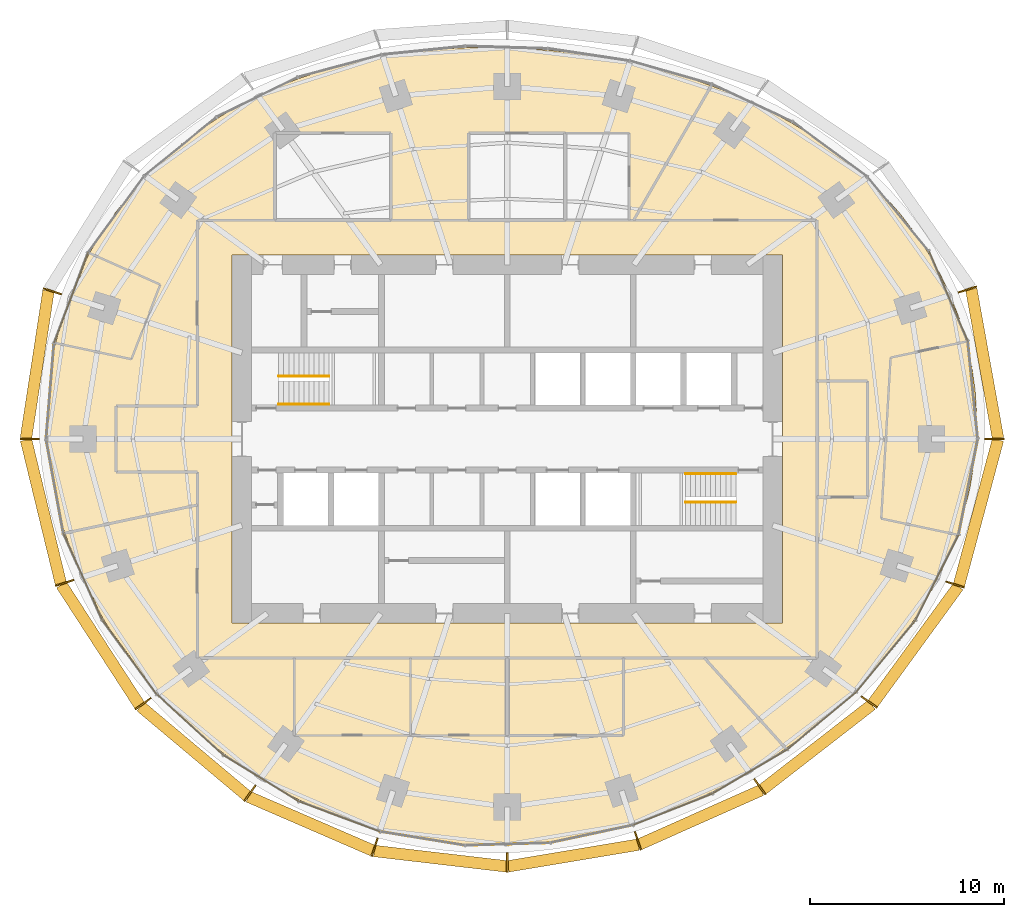
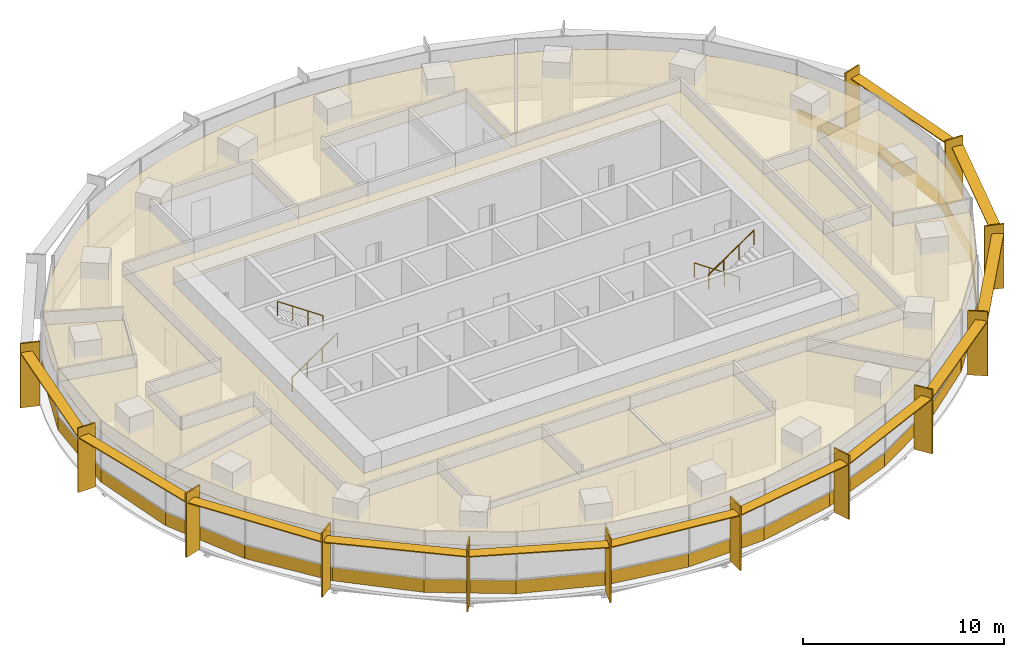
# One storey, part 13 of 14: 29 coverings, 25 shading devices, 4 railings.
"""IFC4 building model written with IfcOpenShell, lengths in metres."""

from ifc_helpers import new_model, si_unit, direction, frame, origin, origin_2d, place, context, subcontext, project, spatial, polyline, rectangle, circle, outline, extrude, material, layer, layer_set, type_object, element, save


model = new_model("IFC4")

# Units and contexts
model_context = context("Model", 3, precision=1e-05, world=origin(), true_north=direction((0.0, 1.0)))
body_context = subcontext(model_context, "Body", "Model", "MODEL_VIEW")
ifc_project = project(units=[si_unit("LENGTHUNIT", "METRE"), si_unit("AREAUNIT", "SQUARE_METRE"), si_unit("VOLUMEUNIT", "CUBIC_METRE"), si_unit("PLANEANGLEUNIT", "RADIAN"), si_unit("MASSUNIT", "GRAM", prefix="KILO")], contexts=[model_context])

# Site, building, storey
site_placement = place(None, origin())
site = spatial("IfcSite", under=ifc_project, at=site_placement, CompositionType="ELEMENT")
building_placement = place(site_placement, origin())
building = spatial("IfcBuilding", under=site, at=building_placement, Name="Marramba Exchange Tower", CompositionType="ELEMENT")
storey_placement = place(building_placement, frame((0.0, 0.0, 203.300048828125)))
storey = spatial("IfcBuildingStorey", under=building, at=storey_placement, Name="L49", CompositionType="ELEMENT", Elevation=203.300048828125)

# Shading devices
ifc_material_1 = material(Name="Aluminium blade, timber-look bronze finish", Category="wood")
ifc_layer_1 = layer(ifc_material_1, 0.080078125)
ifc_layer_set_1 = layer_set([ifc_layer_1], Name="Floor-edge blade 1000x80")
shading_device_type_1 = type_object("IfcShadingDeviceType", Name="Floor-edge blade 1000x80", PredefinedType="USERDEFINED", material=ifc_layer_set_1)
for number, where, z_axis, x_axis, name in (
    (1, (25.14404296875, 0.0, -0.159912109375), (0.0, 0.0, 1.0), (1.0, 0.0, 0.0), "Floor-edge blade FB1 L49 TC01"),
    (2, (23.757080078125, 7.718994140625, -0.159912109375), (0.0, 0.0, 1.0), (0.951056516295, 0.309016994375, 0.0), "Floor-edge blade FB1 L49 TC02"),
    (3, (-23.488525390625, 7.6318359375, -0.159912109375), (0.0, 0.0, 1.0), (-0.951056516295, 0.309016994375, 0.0), "Floor-edge blade FB1 L49 TC10"),
    (4, (-24.656005859375, 0.0, -0.159912109375), (0.0, 0.0, 1.0), (-1.0, 0.0, 0.0), "Floor-edge blade FB1 L49 TC11"),
    (5, (-22.848876953125, -7.424072265625, -0.159912109375), (0.0, 0.0, 1.0), (-0.951056516295, -0.309016994375, 0.0), "Floor-edge blade FB1 L49 TC12"),
    (6, (-18.7998046875, -13.658935546875, -0.159912109375), (0.0, 0.0, 1.0), (-0.809016994375, -0.587785252292, 0.0), "Floor-edge blade FB1 L49 TC13"),
    (7, (-13.2841796875, -18.2841796875, -0.159912109375), (0.0, 0.0, 1.0), (-0.587785252292, -0.809016994375, 0.0), "Floor-edge blade FB1 L49 TC14"),
    (8, (-6.845703125, -21.069091796875, -0.159912109375), (0.0, 0.0, 1.0), (-0.309016994375, -0.951056516295, 0.0), "Floor-edge blade FB1 L49 TC15"),
    (9, (0.0, -21.86376953125, -0.159912109375), (0.0, 0.0, 1.0), (0.0, -1.0, 0.0), "Floor-edge blade FB1 L49 TC16"),
    (10, (6.739501953125, -20.741943359375, -0.159912109375), (0.0, 0.0, 1.0), (0.309016994375, -0.951056516295, 0.0), "Floor-edge blade FB1 L49 TC17"),
    (11, (13.0380859375, -17.9453125, -0.159912109375), (0.0, 0.0, 1.0), (0.587785252292, -0.809016994375, 0.0), "Floor-edge blade FB1 L49 TC18"),
    (12, (18.6845703125, -13.5751953125, -0.159912109375), (0.0, 0.0, 1.0), (0.809016994375, -0.587785252292, 0.0), "Floor-edge blade FB1 L49 TC19"),
    (13, (23.1171875, -7.51123046875, -0.159912109375), (0.0, 0.0, 1.0), (0.951056516295, -0.309016994375, 0.0), "Floor-edge blade FB1 L49 TC20"),
):
    element("IfcShadingDevice", number, at=place(storey_placement, frame(where, z_axis=z_axis, x_axis=x_axis)), inside=storey, type_object=shading_device_type_1, Name=name, ObjectType="FIN", PredefinedType="USERDEFINED", context=body_context, shape_type="SweptSolid", body=[
        extrude(rectangle(XDim=1.0, YDim=0.080078125, at=origin_2d()), origin(), (0.0, 0.0, 1.0), 3.89990234375),
    ])
ifc_material_2 = material(Name="Aluminium sunshade, bronze anodised", Category="aluminium")
ifc_layer_2 = layer(ifc_material_2, 0.06005859375)
ifc_layer_set_2 = layer_set([ifc_layer_2], Name="SUNSHADE blade 600x60")
shading_device_type_2 = type_object("IfcShadingDeviceType", Name="SUNSHADE blade 600x60", PredefinedType="USERDEFINED", material=ifc_layer_set_2)
shading_device_1_placement = place(storey_placement, frame((24.6455078125, 3.890380859375, 3.159912109375), z_axis=(0.0, 0.0, 1.0), x_axis=(-0.176690623809, 0.984266439262, 0.0)))
element("IfcShadingDevice", 14, at=shading_device_1_placement, inside=storey, type_object=shading_device_type_2, Name="Sunshade SS1 L49 bay 01", ObjectType="SUNSHADE", PredefinedType="USERDEFINED", context=body_context, shape_type="SweptSolid", body=[
    extrude(rectangle(XDim=7.8251953125, YDim=0.60009765625, at=origin_2d()), origin(), (0.0, 0.0, 1.0), 0.06005859375),
])
shading_device_2_placement = place(storey_placement, frame((-24.267333984375, 3.846923828125, 3.159912109375), z_axis=(0.0, 0.0, 1.0), x_axis=(-0.151240669327, -0.988496970123, 0.0)))
element("IfcShadingDevice", 15, at=shading_device_2_placement, inside=storey, type_object=shading_device_type_2, Name="Sunshade SS1 L49 bay 10", ObjectType="SUNSHADE", PredefinedType="USERDEFINED", context=body_context, shape_type="SweptSolid", body=[
    extrude(rectangle(XDim=7.703369140625, YDim=0.60009765625, at=origin_2d()), origin(), (0.0, 0.0, 1.0), 0.06005859375),
])
shading_device_3_placement = place(storey_placement, frame((-23.947509765625, -3.742919921875, 3.159912109375), z_axis=(0.0, 0.0, 1.0), x_axis=(0.235861488454, -0.971786683519, 0.0)))
element("IfcShadingDevice", 16, at=shading_device_3_placement, inside=storey, type_object=shading_device_type_2, Name="Sunshade SS1 L49 bay 11", ObjectType="SUNSHADE", PredefinedType="USERDEFINED", context=body_context, shape_type="SweptSolid", body=[
    extrude(rectangle(XDim=7.623291015625, YDim=0.60009765625, at=origin_2d()), origin(), (0.0, 0.0, 1.0), 0.06005859375),
])
shading_device_4_placement = place(storey_placement, frame((-21.000244140625, -10.631103515625, 3.159912109375), z_axis=(0.0, 0.0, 1.0), x_axis=(0.543921771105, -0.839135928749, 0.0)))
element("IfcShadingDevice", 17, at=shading_device_4_placement, inside=storey, type_object=shading_device_type_2, Name="Sunshade SS1 L49 bay 12", ObjectType="SUNSHADE", PredefinedType="USERDEFINED", context=body_context, shape_type="SweptSolid", body=[
    extrude(rectangle(XDim=7.41650390625, YDim=0.60009765625, at=origin_2d()), origin(), (0.0, 0.0, 1.0), 0.06005859375),
])
shading_device_5_placement = place(storey_placement, frame((-16.181640625, -16.111083984375, 3.159912109375), z_axis=(0.0, 0.0, 1.0), x_axis=(0.765761970568, -0.643124097225, 0.0)))
element("IfcShadingDevice", 18, at=shading_device_5_placement, inside=storey, type_object=shading_device_type_2, Name="Sunshade SS1 L49 bay 13", ObjectType="SUNSHADE", PredefinedType="USERDEFINED", context=body_context, shape_type="SweptSolid", body=[
    extrude(rectangle(XDim=7.1806640625, YDim=0.60009765625, at=origin_2d()), origin(), (0.0, 0.0, 1.0), 0.06005859375),
])
shading_device_6_placement = place(storey_placement, frame((-10.154541015625, -19.8525390625, 3.159912109375), z_axis=(0.0, 0.0, 1.0), x_axis=(0.917589256742, -0.397529817639, 0.0)))
element("IfcShadingDevice", 19, at=shading_device_6_placement, inside=storey, type_object=shading_device_type_2, Name="Sunshade SS1 L49 bay 14", ObjectType="SUNSHADE", PredefinedType="USERDEFINED", context=body_context, shape_type="SweptSolid", body=[
    extrude(rectangle(XDim=6.997314453125, YDim=0.60009765625, at=origin_2d()), origin(), (0.0, 0.0, 1.0), 0.06005859375),
])
shading_device_7_placement = place(storey_placement, frame((-3.453857421875, -21.66162109375, 3.159912109375), z_axis=(0.0, 0.0, 1.0), x_axis=(0.993288257497, -0.1156651958, 0.0)))
element("IfcShadingDevice", 20, at=shading_device_7_placement, inside=storey, type_object=shading_device_type_2, Name="Sunshade SS1 L49 bay 15", ObjectType="SUNSHADE", PredefinedType="USERDEFINED", context=body_context, shape_type="SweptSolid", body=[
    extrude(rectangle(XDim=6.874267578125, YDim=0.60009765625, at=origin_2d()), origin(), (0.0, 0.0, 1.0), 0.06005859375),
])
shading_device_8_placement = place(storey_placement, frame((3.400634765625, -21.498046875, 3.159912109375), z_axis=(0.0, 0.0, 1.0), x_axis=(0.986439622954, 0.164124557168, 0.0)))
element("IfcShadingDevice", 21, at=shading_device_8_placement, inside=storey, type_object=shading_device_type_2, Name="Sunshade SS1 L49 bay 16", ObjectType="SUNSHADE", PredefinedType="USERDEFINED", context=body_context, shape_type="SweptSolid", body=[
    extrude(rectangle(XDim=6.814697265625, YDim=0.60009765625, at=origin_2d()), origin(), (0.0, 0.0, 1.0), 0.06005859375),
])
shading_device_9_placement = place(storey_placement, frame((9.978515625, -19.519775390625, 3.159912109375), z_axis=(0.0, 0.0, 1.0), x_axis=(0.913771678576, 0.406228161792, 0.0)))
element("IfcShadingDevice", 22, at=shading_device_9_placement, inside=storey, type_object=shading_device_type_2, Name="Sunshade SS1 L49 bay 17", ObjectType="SUNSHADE", PredefinedType="USERDEFINED", context=body_context, shape_type="SweptSolid", body=[
    extrude(rectangle(XDim=6.8740234375, YDim=0.60009765625, at=origin_2d()), origin(), (0.0, 0.0, 1.0), 0.06005859375),
])
shading_device_10_placement = place(storey_placement, frame((16.0009765625, -15.89990234375, 3.159912109375), z_axis=(0.0, 0.0, 1.0), x_axis=(0.790133082515, 0.612935324414, 0.0)))
element("IfcShadingDevice", 23, at=shading_device_10_placement, inside=storey, type_object=shading_device_type_2, Name="Sunshade SS1 L49 bay 18", ObjectType="SUNSHADE", PredefinedType="USERDEFINED", context=body_context, shape_type="SweptSolid", body=[
    extrude(rectangle(XDim=7.122314453125, YDim=0.60009765625, at=origin_2d()), origin(), (0.0, 0.0, 1.0), 0.06005859375),
])
shading_device_11_placement = place(storey_placement, frame((21.076904296875, -10.6328125, 3.159912109375), z_axis=(0.0, 0.0, 1.0), x_axis=(0.589071758439, 0.808080728275, 0.0)))
element("IfcShadingDevice", 24, at=shading_device_11_placement, inside=storey, type_object=shading_device_type_2, Name="Sunshade SS1 L49 bay 19", ObjectType="SUNSHADE", PredefinedType="USERDEFINED", context=body_context, shape_type="SweptSolid", body=[
    extrude(rectangle(XDim=7.4931640625, YDim=0.60009765625, at=origin_2d()), origin(), (0.0, 0.0, 1.0), 0.06005859375),
])
shading_device_12_placement = place(storey_placement, frame((24.32568359375, -3.78662109375, 3.159912109375), z_axis=(0.0, 0.0, 1.0), x_axis=(0.259692365654, 0.965691397508, 0.0)))
element("IfcShadingDevice", 25, at=shading_device_12_placement, inside=storey, type_object=shading_device_type_2, Name="Sunshade SS1 L49 bay 20", ObjectType="SUNSHADE", PredefinedType="USERDEFINED", context=body_context, shape_type="SweptSolid", body=[
    extrude(rectangle(XDim=7.76220703125, YDim=0.60009765625, at=origin_2d()), origin(), (0.0, 0.0, 1.0), 0.06005859375),
])

# Coverings
ifc_material_3 = material(Name="Aluminium spandrel panel, bronze anodised, insulated", Category="aluminium")
ifc_layer_3 = layer(ifc_material_3, 0.050048828125)
ifc_layer_set_3 = layer_set([ifc_layer_3], Name="Spandrel panel 800")
covering_type_1 = type_object("IfcCoveringType", Name="Spandrel panel 800", PredefinedType="CLADDING", material=ifc_layer_set_3)
covering_1_placement = place(storey_placement, frame((24.036376953125, 2.527099609375, 0.0), z_axis=(0.0, 0.0, 1.0), x_axis=(-0.101422478545, 0.994843445395, 0.0)))
element("IfcCovering", 26, at=covering_1_placement, inside=storey, type_object=covering_type_1, Name="Spandrel panel SP1 L49 F01", PredefinedType="CLADDING", context=body_context, shape_type="SweptSolid", body=[
    extrude(rectangle(XDim=5.08056640625, YDim=0.050048828125, at=origin_2d()), origin(), (0.0, 0.0, 1.0), 0.800048828125),
])
covering_2_placement = place(storey_placement, frame((22.77734375, 7.374755859375, 0.0), z_axis=(0.0, 0.0, 1.0), x_axis=(-0.396193349205, 0.918167103552, 0.0)))
element("IfcCovering", 27, at=covering_2_placement, inside=storey, type_object=covering_type_1, Name="Spandrel panel SP1 L49 F02", PredefinedType="CLADDING", context=body_context, shape_type="SweptSolid", body=[
    extrude(rectangle(XDim=5.0546875, YDim=0.050048828125, at=origin_2d()), origin(), (0.0, 0.0, 1.0), 0.800048828125),
])
covering_3_placement = place(storey_placement, frame((-22.518798828125, 7.30419921875, 0.0), z_axis=(0.0, 0.0, 1.0), x_axis=(-0.351951514464, -0.936018232443, 0.0)))
element("IfcCovering", 28, at=covering_3_placement, inside=storey, type_object=covering_type_1, Name="Spandrel panel SP1 L49 F14", PredefinedType="CLADDING", context=body_context, shape_type="SweptSolid", body=[
    extrude(rectangle(XDim=4.981689453125, YDim=0.050048828125, at=origin_2d()), origin(), (0.0, 0.0, 1.0), 0.800048828125),
])
covering_4_placement = place(storey_placement, frame((-23.600830078125, 2.486328125, 0.0), z_axis=(0.0, 0.0, 1.0), x_axis=(-0.082280881776, -0.996609179415, 0.0)))
element("IfcCovering", 29, at=covering_4_placement, inside=storey, type_object=covering_type_1, Name="Spandrel panel SP1 L49 F15", PredefinedType="CLADDING", context=body_context, shape_type="SweptSolid", body=[
    extrude(rectangle(XDim=4.98974609375, YDim=0.050048828125, at=origin_2d()), origin(), (0.0, 0.0, 1.0), 0.800048828125),
])
covering_5_placement = place(storey_placement, frame((-23.359619140625, -2.43505859375, 0.0), z_axis=(0.0, 0.0, 1.0), x_axis=(0.180327442841, -0.983606635479, 0.0)))
element("IfcCovering", 30, at=covering_5_placement, inside=storey, type_object=covering_type_1, Name="Spandrel panel SP1 L49 F16", PredefinedType="CLADDING", context=body_context, shape_type="SweptSolid", body=[
    extrude(rectangle(XDim=4.951416015625, YDim=0.050048828125, at=origin_2d()), origin(), (0.0, 0.0, 1.0), 0.800048828125),
])
covering_6_placement = place(storey_placement, frame((-21.920654296875, -7.093994140625, 0.0), z_axis=(0.0, 0.0, 1.0), x_axis=(0.407557582153, -0.913179509861, 0.0)))
element("IfcCovering", 31, at=covering_6_placement, inside=storey, type_object=covering_type_1, Name="Spandrel panel SP1 L49 F17", PredefinedType="CLADDING", context=body_context, shape_type="SweptSolid", body=[
    extrude(rectangle(XDim=4.870361328125, YDim=0.050048828125, at=origin_2d()), origin(), (0.0, 0.0, 1.0), 0.800048828125),
])
covering_7_placement = place(storey_placement, frame((-19.520263671875, -11.238525390625, 0.0), z_axis=(0.0, 0.0, 1.0), x_axis=(0.591223097085, -0.80650805915, 0.0)))
element("IfcCovering", 32, at=covering_7_placement, inside=storey, type_object=covering_type_1, Name="Spandrel panel SP1 L49 F18", PredefinedType="CLADDING", context=body_context, shape_type="SweptSolid", body=[
    extrude(rectangle(XDim=4.762939453125, YDim=0.050048828125, at=origin_2d()), origin(), (0.0, 0.0, 1.0), 0.800048828125),
])
covering_8_placement = place(storey_placement, frame((-16.396240234375, -14.73193359375, 0.0), z_axis=(0.0, 0.0, 1.0), x_axis=(0.737203259599, -0.67567103981, 0.0)))
element("IfcCovering", 33, at=covering_8_placement, inside=storey, type_object=covering_type_1, Name="Spandrel panel SP1 L49 F19", PredefinedType="CLADDING", context=body_context, shape_type="SweptSolid", body=[
    extrude(rectangle(XDim=4.65478515625, YDim=0.050048828125, at=origin_2d()), origin(), (0.0, 0.0, 1.0), 0.800048828125),
])
covering_9_placement = place(storey_placement, frame((-12.73583984375, -17.497802734375, 0.0), z_axis=(0.0, 0.0, 1.0), x_axis=(0.852301010692, -0.52305161043, 0.0)))
element("IfcCovering", 34, at=covering_9_placement, inside=storey, type_object=covering_type_1, Name="Spandrel panel SP1 L49 F20", PredefinedType="CLADDING", context=body_context, shape_type="SweptSolid", body=[
    extrude(rectangle(XDim=4.563232421875, YDim=0.050048828125, at=origin_2d()), origin(), (0.0, 0.0, 1.0), 0.800048828125),
])
covering_10_placement = place(storey_placement, frame((-8.687255859375, -19.47607421875, 0.0), z_axis=(0.0, 0.0, 1.0), x_axis=(0.936951581946, -0.349459200892, 0.0)))
element("IfcCovering", 35, at=covering_10_placement, inside=storey, type_object=covering_type_1, Name="Spandrel panel SP1 L49 F21", PredefinedType="CLADDING", context=body_context, shape_type="SweptSolid", body=[
    extrude(rectangle(XDim=4.491455078125, YDim=0.050048828125, at=origin_2d()), origin(), (0.0, 0.0, 1.0), 0.800048828125),
])
covering_11_placement = place(storey_placement, frame((-4.393798828125, -20.6181640625, 0.0), z_axis=(0.0, 0.0, 1.0), x_axis=(0.98693062179, -0.161145734582, 0.0)))
element("IfcCovering", 36, at=covering_11_placement, inside=storey, type_object=covering_type_1, Name="Spandrel panel SP1 L49 F22", PredefinedType="CLADDING", context=body_context, shape_type="SweptSolid", body=[
    extrude(rectangle(XDim=4.4365234375, YDim=0.050048828125, at=origin_2d()), origin(), (0.0, 0.0, 1.0), 0.800048828125),
])
covering_12_placement = place(storey_placement, frame((-0.0068359375, -20.9111328125, 0.0), z_axis=(0.0, 0.0, 1.0), x_axis=(0.99956791932, 0.02939344597, 0.0)))
element("IfcCovering", 37, at=covering_12_placement, inside=storey, type_object=covering_type_1, Name="Spandrel panel SP1 L49 F23", PredefinedType="CLADDING", context=body_context, shape_type="SweptSolid", body=[
    extrude(rectangle(XDim=4.3974609375, YDim=0.050048828125, at=origin_2d()), origin(), (0.0, 0.0, 1.0), 0.800048828125),
])
covering_13_placement = place(storey_placement, frame((4.333984375, -20.389892578125, 0.0), z_axis=(0.0, 0.0, 1.0), x_axis=(0.978058068956, 0.208332459664, 0.0)))
element("IfcCovering", 38, at=covering_13_placement, inside=storey, type_object=covering_type_1, Name="Spandrel panel SP1 L49 F24", PredefinedType="CLADDING", context=body_context, shape_type="SweptSolid", body=[
    extrude(rectangle(XDim=4.3818359375, YDim=0.050048828125, at=origin_2d()), origin(), (0.0, 0.0, 1.0), 0.800048828125),
])
covering_14_placement = place(storey_placement, frame((8.525390625, -19.124267578125, 0.0), z_axis=(0.0, 0.0, 1.0), x_axis=(0.93007301151, 0.367374731386, 0.0)))
element("IfcCovering", 39, at=covering_14_placement, inside=storey, type_object=covering_type_1, Name="Spandrel panel SP1 L49 F25", PredefinedType="CLADDING", context=body_context, shape_type="SweptSolid", body=[
    extrude(rectangle(XDim=4.405517578125, YDim=0.050048828125, at=origin_2d()), origin(), (0.0, 0.0, 1.0), 0.800048828125),
])
covering_15_placement = place(storey_placement, frame((12.50634765625, -17.175537109375, 0.0), z_axis=(0.0, 0.0, 1.0), x_axis=(0.861350829898, 0.508010578466, 0.0)))
element("IfcCovering", 40, at=covering_15_placement, inside=storey, type_object=covering_type_1, Name="Spandrel panel SP1 L49 F26", PredefinedType="CLADDING", context=body_context, shape_type="SweptSolid", body=[
    extrude(rectangle(XDim=4.486572265625, YDim=0.050048828125, at=origin_2d()), origin(), (0.0, 0.0, 1.0), 0.800048828125),
])
covering_16_placement = place(storey_placement, frame((16.2177734375, -14.5556640625, 0.0), z_axis=(0.0, 0.0, 1.0), x_axis=(0.768736803132, 0.639565264465, 0.0)))
element("IfcCovering", 41, at=covering_16_placement, inside=storey, type_object=covering_type_1, Name="Spandrel panel SP1 L49 F27", PredefinedType="CLADDING", context=body_context, shape_type="SweptSolid", body=[
    extrude(rectangle(XDim=4.628662109375, YDim=0.050048828125, at=origin_2d()), origin(), (0.0, 0.0, 1.0), 0.800048828125),
])
covering_17_placement = place(storey_placement, frame((19.529541015625, -11.2265625, 0.0), z_axis=(0.0, 0.0, 1.0), x_axis=(0.638149992226, 0.769912064733, 0.0)))
element("IfcCovering", 42, at=covering_17_placement, inside=storey, type_object=covering_type_1, Name="Spandrel panel SP1 L49 F28", PredefinedType="CLADDING", context=body_context, shape_type="SweptSolid", body=[
    extrude(rectangle(XDim=4.80322265625, YDim=0.050048828125, at=origin_2d()), origin(), (0.0, 0.0, 1.0), 0.800048828125),
])
covering_18_placement = place(storey_placement, frame((22.17919921875, -7.16455078125, 0.0), z_axis=(0.0, 0.0, 1.0), x_axis=(0.450673091404, 0.892689063832, 0.0)))
element("IfcCovering", 43, at=covering_18_placement, inside=storey, type_object=covering_type_1, Name="Spandrel panel SP1 L49 F29", PredefinedType="CLADDING", context=body_context, shape_type="SweptSolid", body=[
    extrude(rectangle(XDim=4.957763671875, YDim=0.050048828125, at=origin_2d()), origin(), (0.0, 0.0, 1.0), 0.800048828125),
])
covering_19_placement = place(storey_placement, frame((23.795166015625, -2.475830078125, 0.0), z_axis=(0.0, 0.0, 1.0), x_axis=(0.197495401381, 0.980303813332, 0.0)))
element("IfcCovering", 44, at=covering_19_placement, inside=storey, type_object=covering_type_1, Name="Spandrel panel SP1 L49 F30", PredefinedType="CLADDING", context=body_context, shape_type="SweptSolid", body=[
    extrude(rectangle(XDim=5.05126953125, YDim=0.050048828125, at=origin_2d()), origin(), (0.0, 0.0, 1.0), 0.800048828125),
])

# Railings
ifc_material_4 = material(Name="Stainless steel handrail", Category="steel")
railing_type = type_object("IfcRailingType", Name="Stair handrail 900", PredefinedType="HANDRAIL", material=ifc_material_4)
railing_1_placement = place(storey_placement, frame((-11.800048828125, 1.800048828125, 0.17724609375)))
element("IfcRailing", 45, at=railing_1_placement, inside=storey, type_object=railing_type, Name="Handrail HR1 ST1 L49 flight 1", PredefinedType="HANDRAIL", context=body_context, shape_type="SweptSolid", body=[
    extrude(circle(Radius=0.02392578125, at=origin_2d()), frame((0.0, 0.0, 0.8759765625), z_axis=(0.826240473404, 0.0, 0.563317565952), x_axis=(0.0, 1.0, 0.0)), (0.0, 0.0, 1.0), 3.14697265625),
    extrude(circle(Radius=0.02099609375, at=origin_2d()), origin(), (0.0, 0.0, 1.0), 0.851806640625),
    extrude(circle(Radius=0.02099609375, at=origin_2d()), frame((0.86669921875, 0.0, 0.5908203125)), (0.0, 0.0, 1.0), 0.851806640625),
    extrude(circle(Radius=0.02099609375, at=origin_2d()), frame((1.7333984375, 0.0, 1.181884765625)), (0.0, 0.0, 1.0), 0.851806640625),
    extrude(circle(Radius=0.02099609375, at=origin_2d()), frame((2.60009765625, 0.0, 1.772705078125)), (0.0, 0.0, 1.0), 0.851806640625),
])
for number, where, name in (
    (46, (-9.199951171875, 3.25, 2.127197265625), "Handrail HR1 ST1 L49 flight 2"),
    (47, (11.800048828125, -1.800048828125, 0.17724609375), "Handrail HR1 ST2 L49 flight 1"),
):
    element("IfcRailing", number, at=place(storey_placement, frame(where)), inside=storey, type_object=railing_type, Name=name, PredefinedType="HANDRAIL", context=body_context, shape_type="SweptSolid", body=[
        extrude(circle(Radius=0.02392578125, at=origin_2d()), frame((0.0, 0.0, 0.8759765625), z_axis=(-0.826240473404, 0.0, 0.563317565952), x_axis=(0.0, -1.0, 0.0)), (0.0, 0.0, 1.0), 3.14697265625),
        extrude(circle(Radius=0.02099609375, at=origin_2d()), origin(), (0.0, 0.0, 1.0), 0.851806640625),
        extrude(circle(Radius=0.02099609375, at=origin_2d()), frame((-0.86669921875, 0.0, 0.5908203125)), (0.0, 0.0, 1.0), 0.851806640625),
        extrude(circle(Radius=0.02099609375, at=origin_2d()), frame((-1.7333984375, 0.0, 1.181884765625)), (0.0, 0.0, 1.0), 0.851806640625),
        extrude(circle(Radius=0.02099609375, at=origin_2d()), frame((-2.60009765625, 0.0, 1.772705078125)), (0.0, 0.0, 1.0), 0.851806640625),
    ])
railing_2_placement = place(storey_placement, frame((9.199951171875, -3.25, 2.127197265625)))
element("IfcRailing", 48, at=railing_2_placement, inside=storey, type_object=railing_type, Name="Handrail HR1 ST2 L49 flight 2", PredefinedType="HANDRAIL", context=body_context, shape_type="SweptSolid", body=[
    extrude(circle(Radius=0.02392578125, at=origin_2d()), frame((0.0, 0.0, 0.8759765625), z_axis=(0.826240473404, 0.0, 0.563317565952), x_axis=(0.0, 1.0, 0.0)), (0.0, 0.0, 1.0), 3.14697265625),
    extrude(circle(Radius=0.02099609375, at=origin_2d()), origin(), (0.0, 0.0, 1.0), 0.851806640625),
    extrude(circle(Radius=0.02099609375, at=origin_2d()), frame((0.86669921875, 0.0, 0.5908203125)), (0.0, 0.0, 1.0), 0.851806640625),
    extrude(circle(Radius=0.02099609375, at=origin_2d()), frame((1.7333984375, 0.0, 1.181884765625)), (0.0, 0.0, 1.0), 0.851806640625),
    extrude(circle(Radius=0.02099609375, at=origin_2d()), frame((2.60009765625, 0.0, 1.772705078125)), (0.0, 0.0, 1.0), 0.851806640625),
])

# Coverings
ifc_material_5 = material(Name="Mineral fibre ceiling tiles", Category="gypsum")
ifc_layer_4 = layer(ifc_material_5, 0.02001953125)
ifc_layer_set_4 = layer_set([ifc_layer_4], Name="Suspended ceiling 20")
covering_type_2 = type_object("IfcCoveringType", Name="Suspended ceiling 20", PredefinedType="CEILING", material=ifc_layer_set_4)
covering_20_placement = place(storey_placement, frame((0.0, 0.0, 2.89990234375)))
element("IfcCovering", 49, at=covering_20_placement, inside=storey, type_object=covering_type_2, Name="Ceiling CL1 L49 Office 1", PredefinedType="CEILING", context=body_context, shape_type="SweptSolid", body=[
    extrude(outline(polyline([(16.0, -3.0), (18.60009765625, -3.0), (18.60009765625, 3.0), (16.0, 3.0), (16.0, 11.300048828125), (6.524169921875, 11.300048828125), (10.5341796875, 18.245849609375), (11.584716796875, 17.839111328125), (12.6298828125, 17.383544921875), (13.666259765625, 16.87646484375), (14.689453125, 16.314453125), (15.695068359375, 15.695068359375), (16.67724609375, 15.016357421875), (17.6298828125, 14.276611328125), (18.54638671875, 13.474853515625), (19.41943359375, 12.611083984375), (20.24169921875, 11.6865234375), (21.00537109375, 10.70263671875), (21.702880859375, 9.662841796875), (22.32763671875, 8.57080078125), (22.87255859375, 7.431640625), (23.331787109375, 6.251708984375), (23.700439453125, 5.03759765625), (19.787841796875, 4.2060546875), (19.3056640625, -4.103515625), (23.218017578125, -4.935302734375), (22.760986328125, -6.098876953125), (22.23291015625, -7.223876953125), (21.639892578125, -8.306884765625), (20.989013671875, -9.344970703125), (20.286865234375, -10.336669921875), (19.539794921875, -11.28125), (18.753173828125, -12.178466796875), (17.93212890625, -13.028564453125), (17.08154296875, -13.832275390625), (16.204833984375, -14.5908203125), (15.30517578125, -15.30517578125), (14.38525390625, -15.976318359375), (10.174560546875, -11.300048828125), (16.0, -11.300048828125), (16.0, -3.0)])), origin(), (0.0, 0.0, 1.0), 0.02001953125),
])
covering_21_placement = place(storey_placement, frame((0.0, 0.0, 2.89990234375)))
element("IfcCovering", 50, at=covering_21_placement, inside=storey, type_object=covering_type_2, Name="Ceiling CL1 L49 Office 2", PredefinedType="CEILING", context=body_context, shape_type="SweptSolid", body=[
    extrude(outline(polyline([(-16.0, 1.699951171875), (-20.199951171875, 1.699951171875), (-20.199951171875, -1.699951171875), (-16.0, -1.699951171875), (-16.0, -3.40087890625), (-22.8349609375, -4.853759765625), (-23.169921875, -3.669677734375), (-23.432373046875, -2.462890625), (-23.618896484375, -1.23779296875), (-23.72607421875, 0.0), (-23.7509765625, 1.24462890625), (-23.691650390625, 2.489990234375), (-23.547119140625, 3.7294921875), (-23.317138671875, 4.956298828125), (-19.404541015625, 4.12451171875), (-17.914794921875, 7.976318359375), (-21.569091796875, 9.603271484375), (-20.939697265625, 10.669189453125), (-20.24169921875, 11.6865234375), (-19.48046875, 12.650634765625), (-18.66162109375, 13.55859375), (-17.79150390625, 14.4072265625), (-16.87548828125, 15.19482421875), (-15.920166015625, 15.920166015625), (-14.931396484375, 16.5830078125), (-13.914794921875, 17.183349609375), (-12.8759765625, 17.722412109375), (-11.820068359375, 18.201171875), (-10.75146484375, 18.621826171875), (-9.67431640625, 18.98681640625), (-8.59228515625, 19.29833984375), (-7.50830078125, 19.559326171875), (-6.424560546875, 19.77294921875), (-5.34326171875, 19.941650390625), (-4.265625, 20.068603515625), (-3.1923828125, 20.15625), (-2.123779296875, 20.20703125), (-1.059814453125, 20.22314453125), (0.0, 20.206298828125), (1.056396484375, 20.15771484375), (2.1103515625, 20.077880859375), (3.16259765625, 19.96728515625), (4.214111328125, 19.82568359375), (5.265869140625, 19.65234375), (6.318359375, 19.445556640625), (7.371826171875, 19.2041015625), (8.426025390625, 18.92529296875), (9.480712890625, 18.60693359375), (10.5341796875, 18.245849609375), (9.35205078125, 16.197998046875), (6.524169921875, 11.300048828125), (6.300048828125, 11.300048828125), (6.300048828125, 15.800048828125), (3.0, 15.800048828125), (-2.0, 15.800048828125), (-2.0, 11.300048828125), (-6.0, 11.300048828125), (-6.0, 15.800048828125), (-12.0, 15.800048828125), (-12.0, 11.300048828125), (-16.0, 11.300048828125), (-16.0, 1.699951171875)])), origin(), (0.0, 0.0, 1.0), 0.02001953125),
])
covering_22_placement = place(storey_placement, frame((0.0, 0.0, 2.89990234375)))
element("IfcCovering", 51, at=covering_22_placement, inside=storey, type_object=covering_type_2, Name="Ceiling CL1 L49 Office 3", PredefinedType="CEILING", context=body_context, shape_type="SweptSolid", body=[
    extrude(outline(polyline([(-11.0, -11.300048828125), (-11.0, -15.300048828125), (-5.0, -15.300048828125), (0.0, -15.300048828125), (6.0, -15.300048828125), (6.0, -11.300048828125), (10.174560546875, -11.300048828125), (13.09375, -14.5419921875), (14.38525390625, -15.976318359375), (13.44677734375, -16.60546875), (12.491455078125, -17.193115234375), (11.520263671875, -17.73974609375), (10.5341796875, -18.245849609375), (9.53369140625, -18.711181640625), (8.51953125, -19.13525390625), (7.4921875, -19.517578125), (6.4521484375, -19.857421875), (5.400146484375, -20.153564453125), (4.337158203125, -20.404541015625), (3.26416015625, -20.609619140625), (2.1826171875, -20.766845703125), (1.093994140625, -20.875244140625), (0.0, -20.93359375), (-1.097412109375, -20.94091796875), (-2.1962890625, -20.89599609375), (-3.294189453125, -20.79833984375), (-4.388916015625, -20.6474609375), (-5.477783203125, -20.44287109375), (-6.558349609375, -20.184814453125), (-7.62841796875, -19.873046875), (-8.685546875, -19.50830078125), (-9.727294921875, -19.091064453125), (-10.75146484375, -18.621826171875), (-11.755615234375, -18.101806640625), (-12.737548828125, -17.53173828125), (-13.6953125, -16.912353515625), (-14.626953125, -16.2451171875), (-15.5302734375, -15.5302734375), (-16.403076171875, -14.769287109375), (-17.242919921875, -13.962890625), (-18.04736328125, -13.1123046875), (-18.81396484375, -12.218017578125), (-19.539794921875, -11.28125), (-20.22119140625, -10.30322265625), (-20.85498046875, -9.285400390625), (-21.4375, -8.22900390625), (-21.96435546875, -7.13671875), (-22.431640625, -6.010498046875), (-22.8349609375, -4.853759765625), (-16.0, -3.40087890625), (-16.0, -11.300048828125), (-11.0, -11.300048828125)])), origin(), (0.0, 0.0, 1.0), 0.02001953125),
])
covering_23_placement = place(storey_placement, frame((0.0, 0.0, 2.89990234375)))
element("IfcCovering", 52, at=covering_23_placement, inside=storey, type_object=covering_type_2, Name="Ceiling CL1 L49 Corridor", PredefinedType="CEILING", context=body_context, shape_type="SweptSolid", body=[
    extrude(outline(polyline([(-16.0, 11.300048828125), (16.0, 11.300048828125), (16.0, -11.300048828125), (-16.0, -11.300048828125), (-16.0, -1.699951171875), (-20.199951171875, -1.699951171875), (-20.199951171875, 1.699951171875), (-16.0, 1.699951171875), (-16.0, 11.300048828125)]), holes=[polyline([(14.199951171875, 9.5), (-14.199951171875, 9.5), (-14.199951171875, 1.699951171875), (-14.199951171875, -1.699951171875), (-14.199951171875, -9.5), (14.199951171875, -9.5), (14.199951171875, 9.5)])]), origin(), (0.0, 0.0, 1.0), 0.02001953125),
])
covering_24_placement = place(storey_placement, frame((0.0, 0.0, 2.89990234375)))
element("IfcCovering", 53, at=covering_24_placement, inside=storey, type_object=covering_type_2, Name="Ceiling CL1 L49 Office", PredefinedType="CEILING", context=body_context, shape_type="SweptSolid", body=[
    extrude(outline(polyline([(23.80322265625, 4.5732421875), (23.974853515625, 3.797119140625), (24.15234375, 2.53857421875), (24.23193359375, 1.27001953125), (24.214111328125, 0.0), (24.10009765625, -1.262939453125), (23.89306640625, -2.51123046875), (23.800048828125, -2.897705078125), (23.597412109375, -3.737548828125), (23.35009765625, -4.518310546875), (23.218017578125, -4.935302734375), (19.3056640625, -4.103515625), (19.787841796875, 4.2060546875), (23.700439453125, 5.03759765625), (23.80322265625, 4.5732421875)])), origin(), (0.0, 0.0, 1.0), 0.02001953125),
])
covering_25_placement = place(storey_placement, frame((0.0, 0.0, 2.89990234375)))
element("IfcCovering", 54, at=covering_25_placement, inside=storey, type_object=covering_type_2, Name="Ceiling CL1 L49 Focus Room", PredefinedType="CEILING", context=body_context, shape_type="SweptSolid", body=[
    extrude(outline(polyline([(-23.1357421875, 5.652099609375), (-23.002197265625, 6.163330078125), (-22.889404296875, 6.49853515625), (-22.604248046875, 7.344482421875), (-22.213623046875, 8.281005859375), (-22.125244140625, 8.4931640625), (-22.05029296875, 8.642822265625), (-21.569091796875, 9.603271484375), (-17.914794921875, 7.976318359375), (-19.404541015625, 4.12451171875), (-23.317138671875, 4.956298828125), (-23.1357421875, 5.652099609375)])), origin(), (0.0, 0.0, 1.0), 0.02001953125),
])
covering_26_placement = place(storey_placement, frame((0.0, 0.0, 2.89990234375)))
element("IfcCovering", 55, at=covering_26_placement, inside=storey, type_object=covering_type_2, Name="Ceiling CL1 L49 Meeting Room 1", PredefinedType="CEILING", context=body_context, shape_type="SweptSolid", body=[
    extrude(outline(polyline([(18.60009765625, -3.0), (16.0, -3.0), (16.0, 3.0), (18.60009765625, 3.0), (18.60009765625, -3.0)])), origin(), (0.0, 0.0, 1.0), 0.02001953125),
])
covering_27_placement = place(storey_placement, frame((0.0, 0.0, 2.89990234375)))
element("IfcCovering", 56, at=covering_27_placement, inside=storey, type_object=covering_type_2, Name="Ceiling CL1 L49 Pantry 2", PredefinedType="CEILING", context=body_context, shape_type="SweptSolid", body=[
    extrude(outline(polyline([(-5.0, -15.300048828125), (-11.0, -15.300048828125), (-11.0, -11.300048828125), (-5.0, -11.300048828125), (-5.0, -15.300048828125)])), origin(), (0.0, 0.0, 1.0), 0.02001953125),
])
covering_28_placement = place(storey_placement, frame((0.0, 0.0, 2.89990234375)))
element("IfcCovering", 57, at=covering_28_placement, inside=storey, type_object=covering_type_2, Name="Ceiling CL1 L49 Meeting Room 4", PredefinedType="CEILING", context=body_context, shape_type="SweptSolid", body=[
    extrude(outline(polyline([(6.0, -15.300048828125), (0.0, -15.300048828125), (0.0, -11.300048828125), (6.0, -11.300048828125), (6.0, -15.300048828125)])), origin(), (0.0, 0.0, 1.0), 0.02001953125),
])
covering_29_placement = place(storey_placement, frame((0.0, 0.0, 2.89990234375)))
element("IfcCovering", 58, at=covering_29_placement, inside=storey, type_object=covering_type_2, Name="Ceiling CL1 L49 Print Room", PredefinedType="CEILING", context=body_context, shape_type="SweptSolid", body=[
    extrude(outline(polyline([(0.0, -15.300048828125), (-5.0, -15.300048828125), (-5.0, -11.300048828125), (0.0, -11.300048828125), (0.0, -15.300048828125)])), origin(), (0.0, 0.0, 1.0), 0.02001953125),
])

save(model, "model.ifc")
